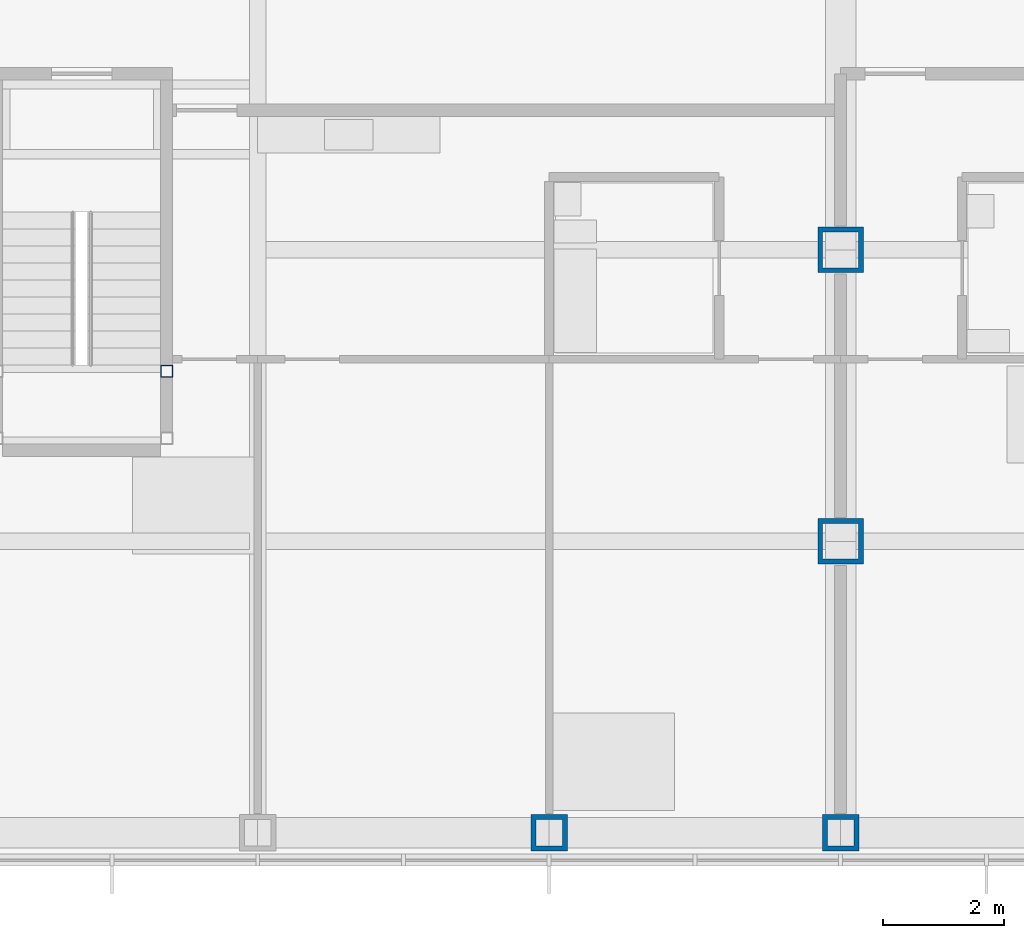
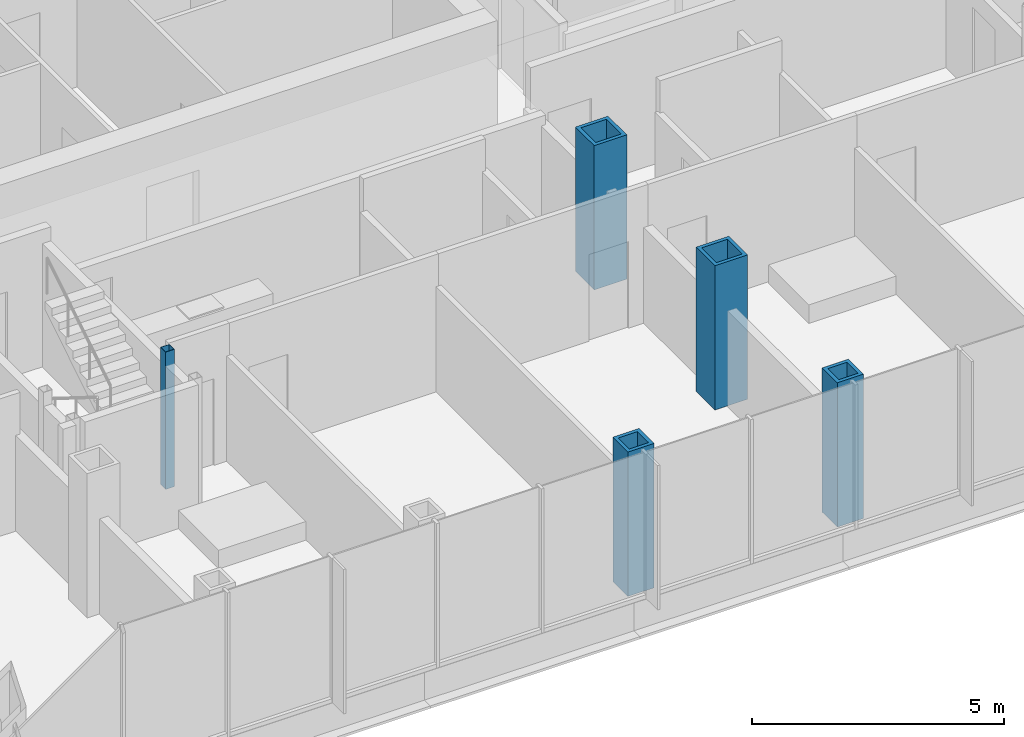
# One storey, part 2 of 21: 5 columns.
"""IFC4 building model written with IfcOpenShell, lengths in metres."""

from ifc_helpers import new_model, si_unit, direction, frame, origin, origin_2d, place, context, subcontext, project, spatial, hollow_rectangle, extrude, material, material_profile, profile_set, type_object, element, save


model = new_model("IFC4")

# Units and contexts
model_context = context("Model", 3, precision=1e-05, world=origin(), true_north=direction((0.0, 1.0)))
body_context = subcontext(model_context, "Body", "Model", "MODEL_VIEW")
ifc_project = project(units=[si_unit("LENGTHUNIT", "METRE"), si_unit("AREAUNIT", "SQUARE_METRE"), si_unit("VOLUMEUNIT", "CUBIC_METRE"), si_unit("PLANEANGLEUNIT", "RADIAN"), si_unit("MASSUNIT", "GRAM", prefix="KILO")], contexts=[model_context])

# Site, building, storey
site_placement = place(None, origin())
site = spatial("IfcSite", under=ifc_project, at=site_placement, CompositionType="ELEMENT")
building_placement = place(site_placement, origin())
building = spatial("IfcBuilding", under=site, at=building_placement, Name="Kvirike Care Tower", CompositionType="ELEMENT")
storey_placement = place(building_placement, frame((0.0, 0.0, 65.5)))
storey = spatial("IfcBuildingStorey", under=building, at=storey_placement, Name="L17", CompositionType="ELEMENT", Elevation=65.5)

# Columns
ifc_material_1 = material(Name="Steel S460", Category="steel")
ifc_material_profile_1 = material_profile(ifc_material_1, hollow_rectangle(XDim=0.60009765625, YDim=0.60009765625, WallThickness=0.080078125, at=origin_2d()), Name="BX 600x600x80")
ifc_profile_set_1 = profile_set([ifc_material_profile_1], Name="Steel S460")
column_type_1 = type_object("IfcColumnType", Name="COLUMN BX 600x600x80", PredefinedType="COLUMN", material=ifc_profile_set_1)
for number, where, z_axis, x_axis, name in (
    (1, (24.0, 14.39990234375, 0.0), (0.0, 0.0, 1.0), (0.0, 1.0, 0.0), "Column D8 L17"),
    (2, (28.800048828125, 14.39990234375, 0.0), (0.0, 0.0, 1.0), (0.0, 1.0, 0.0), "Column D9 L17"),
):
    element("IfcColumn", number, at=place(storey_placement, frame(where, z_axis=z_axis, x_axis=x_axis)), inside=storey, type_object=column_type_1, Name=name, PredefinedType="COLUMN", context=body_context, shape_type="SweptSolid", body=[
        extrude(hollow_rectangle(XDim=0.60009765625, YDim=0.60009765625, WallThickness=0.080078125, at=origin_2d()), origin(), (0.0, 0.0, 1.0), 3.5),
    ])
ifc_material_2 = material(Name="Steel S460", Category="steel")
ifc_material_profile_2 = material_profile(ifc_material_2, hollow_rectangle(XDim=0.75, YDim=0.75, WallThickness=0.080078125, at=origin_2d()), Name="BX 750x750x80")
ifc_profile_set_2 = profile_set([ifc_material_profile_2], Name="Steel S460")
column_type_2 = type_object("IfcColumnType", Name="COLUMN BX 750x750x80", PredefinedType="COLUMN", material=ifc_profile_set_2)
for number, where, z_axis, x_axis, name in (
    (3, (28.800048828125, 19.199951171875, 0.0), (0.0, 0.0, 1.0), (1.0, 0.0, 0.0), "Column E9 L17"),
    (4, (28.800048828125, 24.0, 0.0), (0.0, 0.0, 1.0), (1.0, 0.0, 0.0), "Column F9 L17"),
):
    element("IfcColumn", number, at=place(storey_placement, frame(where, z_axis=z_axis, x_axis=x_axis)), inside=storey, type_object=column_type_2, Name=name, PredefinedType="COLUMN", context=body_context, shape_type="SweptSolid", body=[
        extrude(hollow_rectangle(XDim=0.75, YDim=0.75, WallThickness=0.080078125, at=origin_2d()), origin(), (0.0, 0.0, 1.0), 3.5),
    ])
ifc_material_3 = material(Name="Steel S460", Category="steel")
ifc_material_profile_3 = material_profile(ifc_material_3, hollow_rectangle(XDim=0.199951171875, YDim=0.199951171875, WallThickness=0.008056640625, at=origin_2d()), Name="SHS 200x200x8")
ifc_profile_set_3 = profile_set([ifc_material_profile_3], Name="Steel S460")
column_type_3 = type_object("IfcColumnType", Name="STAIR POST SHS 200x200x8", PredefinedType="COLUMN", material=ifc_profile_set_3)
column_placement = place(storey_placement, frame((17.699951171875, 22.0, 0.0), z_axis=(0.0, 0.0, 1.0), x_axis=(1.0, 0.0, 0.0)))
element("IfcColumn", 5, at=column_placement, inside=storey, type_object=column_type_3, Name="Stair 5 post 4 L17", PredefinedType="COLUMN", context=body_context, shape_type="SweptSolid", body=[
    extrude(hollow_rectangle(XDim=0.199951171875, YDim=0.199951171875, WallThickness=0.008056640625, at=origin_2d()), origin(), (0.0, 0.0, 1.0), 3.330078125),
])

save(model, "model.ifc")
